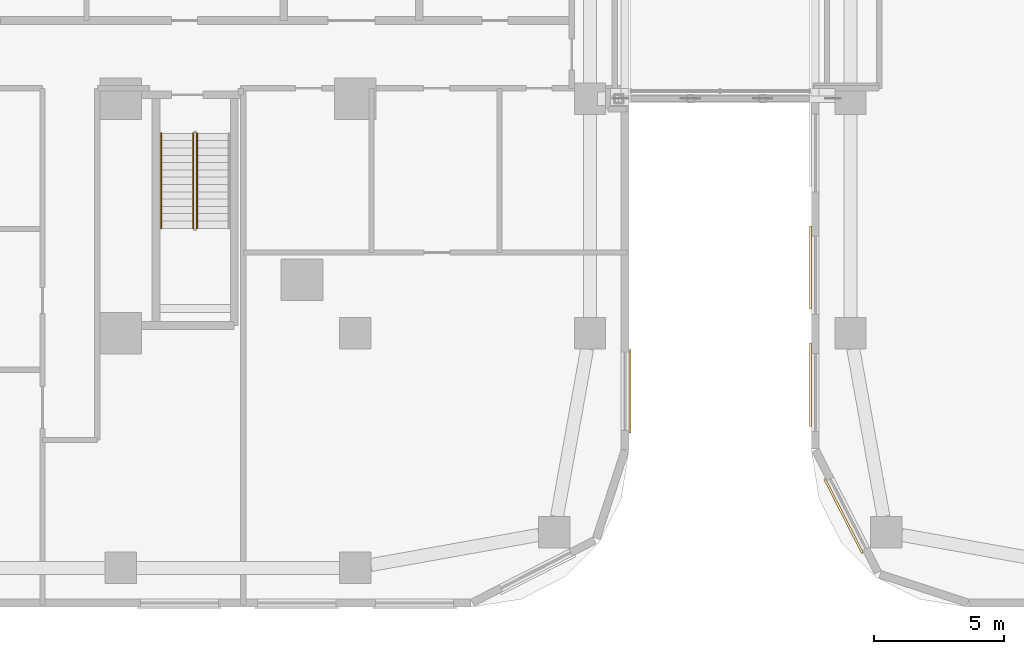
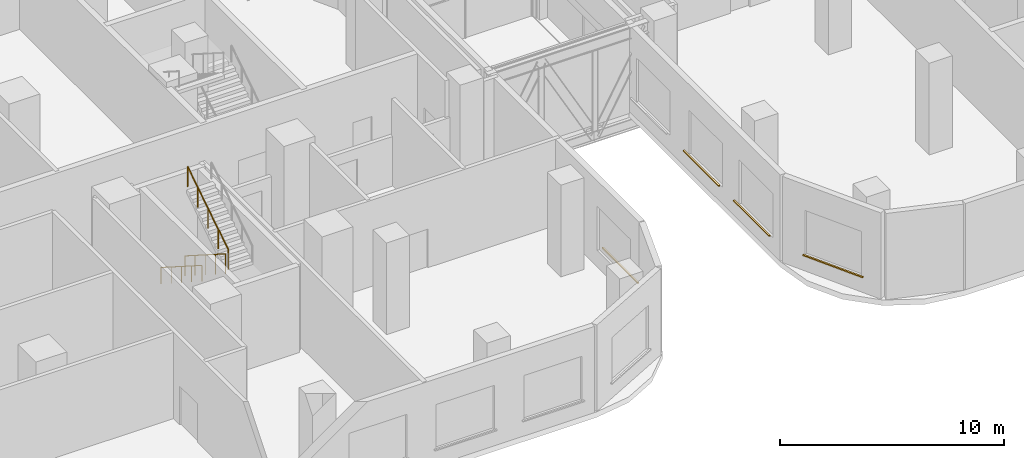
# One storey, part 31 of 35: 4 coverings, 3 railings.
"""IFC4 building model written with IfcOpenShell, lengths in metres."""

from ifc_helpers import new_model, si_unit, direction, frame, origin, origin_2d, place, context, subcontext, project, spatial, rectangle, circle, extrude, material, layer, layer_set, type_object, element, save


model = new_model("IFC4")

# Units and contexts
model_context = context("Model", 3, precision=1e-05, world=origin(), true_north=direction((0.0, 1.0)))
body_context = subcontext(model_context, "Body", "Model", "MODEL_VIEW")
ifc_project = project(units=[si_unit("LENGTHUNIT", "METRE"), si_unit("AREAUNIT", "SQUARE_METRE"), si_unit("VOLUMEUNIT", "CUBIC_METRE"), si_unit("PLANEANGLEUNIT", "RADIAN"), si_unit("MASSUNIT", "GRAM", prefix="KILO")], contexts=[model_context])

# Site, building, storey
site_placement = place(None, origin())
site = spatial("IfcSite", under=ifc_project, at=site_placement, CompositionType="ELEMENT")
building_placement = place(site_placement, origin())
building = spatial("IfcBuilding", under=site, at=building_placement, Name="Ogive Portal Towers", CompositionType="ELEMENT")
storey_placement = place(building_placement, frame((0.0, 0.0, 18.5)))
storey = spatial("IfcBuildingStorey", under=building, at=storey_placement, Name="L03", CompositionType="ELEMENT", Elevation=18.5)

# Railings
ifc_material_1 = material(Name="Stainless steel balustrade", Category="steel")
railing_type_1 = type_object("IfcRailingType", Name="INT-GUARD", PredefinedType="GUARDRAIL", material=ifc_material_1)
railing_1_placement = place(storey_placement, frame((88.280029296875, 29.169921875, 0.178466796875)))
element("IfcRailing", 1, at=railing_1_placement, inside=storey, type_object=railing_type_1, Name="L03 ST-A4 stair guard 1", PredefinedType="GUARDRAIL", context=body_context, shape_type="SweptSolid", body=[
    extrude(circle(Radius=0.02392578125, at=origin_2d()), frame((0.0, 0.0, 1.076171875), z_axis=(0.0, -0.843111507901, 0.53773877045), x_axis=(1.0, 0.0, 0.0)), (0.0, 0.0, 1.0), 4.317138671875),
    extrude(circle(Radius=0.02099609375, at=origin_2d()), origin(), (0.0, 0.0, 1.0), 1.052001953125),
    extrude(circle(Radius=0.02099609375, at=origin_2d()), frame((0.0, -0.909912109375, 0.580322265625)), (0.0, 0.0, 1.0), 1.052001953125),
    extrude(circle(Radius=0.02099609375, at=origin_2d()), frame((0.0, -1.81982421875, 1.16064453125)), (0.0, 0.0, 1.0), 1.052001953125),
    extrude(circle(Radius=0.02099609375, at=origin_2d()), frame((0.0, -2.72998046875, 1.7412109375)), (0.0, 0.0, 1.0), 1.052001953125),
    extrude(circle(Radius=0.02099609375, at=origin_2d()), frame((0.0, -3.639892578125, 2.321533203125)), (0.0, 0.0, 1.0), 1.052001953125),
])
railing_2_placement = place(storey_placement, frame((88.419921875, 25.530029296875, 2.678466796875)))
element("IfcRailing", 2, at=railing_2_placement, inside=storey, type_object=railing_type_1, Name="L03 ST-A4 stair guard 3", PredefinedType="GUARDRAIL", context=body_context, shape_type="SweptSolid", body=[
    extrude(circle(Radius=0.02392578125, at=origin_2d()), frame((0.0, 0.0, 1.076171875), z_axis=(0.0, 0.843111507901, 0.53773877045), x_axis=(-1.0, 0.0, 0.0)), (0.0, 0.0, 1.0), 4.317138671875),
    extrude(circle(Radius=0.02099609375, at=origin_2d()), origin(), (0.0, 0.0, 1.0), 1.052001953125),
    extrude(circle(Radius=0.02099609375, at=origin_2d()), frame((0.0, 0.909912109375, 0.580322265625)), (0.0, 0.0, 1.0), 1.052001953125),
    extrude(circle(Radius=0.02099609375, at=origin_2d()), frame((0.0, 1.81982421875, 1.16064453125)), (0.0, 0.0, 1.0), 1.052001953125),
    extrude(circle(Radius=0.02099609375, at=origin_2d()), frame((0.0, 2.72998046875, 1.7412109375)), (0.0, 0.0, 1.0), 1.052001953125),
    extrude(circle(Radius=0.02099609375, at=origin_2d()), frame((0.0, 3.639892578125, 2.321533203125)), (0.0, 0.0, 1.0), 1.052001953125),
])
ifc_material_2 = material(Name="Stainless steel handrail", Category="steel")
railing_type_2 = type_object("IfcRailingType", Name="INT-HANDRAIL", PredefinedType="HANDRAIL", material=ifc_material_2)
railing_3_placement = place(storey_placement, frame((87.050048828125, 29.169921875, 0.178466796875)))
element("IfcRailing", 3, at=railing_3_placement, inside=storey, type_object=railing_type_2, Name="L03 ST-A4 stair handrail 1", PredefinedType="HANDRAIL", context=body_context, shape_type="SweptSolid", body=[
    extrude(circle(Radius=0.02392578125, at=origin_2d()), frame((0.0, 0.0, 0.8759765625), z_axis=(0.0, -0.843111507901, 0.53773877045), x_axis=(1.0, 0.0, 0.0)), (0.0, 0.0, 1.0), 4.317138671875),
    extrude(circle(Radius=0.02099609375, at=origin_2d()), origin(), (0.0, 0.0, 1.0), 0.851806640625),
    extrude(circle(Radius=0.02099609375, at=origin_2d()), frame((0.0, -0.909912109375, 0.580322265625)), (0.0, 0.0, 1.0), 0.851806640625),
    extrude(circle(Radius=0.02099609375, at=origin_2d()), frame((0.0, -1.81982421875, 1.16064453125)), (0.0, 0.0, 1.0), 0.851806640625),
    extrude(circle(Radius=0.02099609375, at=origin_2d()), frame((0.0, -2.72998046875, 1.7412109375)), (0.0, 0.0, 1.0), 0.851806640625),
    extrude(circle(Radius=0.02099609375, at=origin_2d()), frame((0.0, -3.639892578125, 2.321533203125)), (0.0, 0.0, 1.0), 0.851806640625),
])

# Coverings
ifc_material_3 = material(Name="Limestone cladding on lightweight block wall", Category="masonry")
ifc_layer = layer(ifc_material_3, 0.080078125)
ifc_layer_set = layer_set([ifc_layer], Name="STONE SILL 80")
covering_type = type_object("IfcCoveringType", Name="STONE SILL 80", PredefinedType="CLADDING", material=ifc_layer_set)
for number, where, z_axis, x_axis, name in (
    (4, (105.0400390625, 19.273681640625, 0.840087890625), (0.0, 0.0, 1.0), (0.0, 1.0, 0.0), "Stone sill"),
    (5, (113.233642578125, 14.49072265625, 0.840087890625), (0.0, 0.0, 1.0), (0.45399049974, -0.891006524188, 0.0), "Stone sill"),
    (6, (111.9599609375, 24.023681640625, 0.840087890625), (0.0, 0.0, 1.0), (0.0, -1.0, 0.0), "Stone sill"),
    (7, (111.9599609375, 19.523681640625, 0.840087890625), (0.0, 0.0, 1.0), (0.0, -1.0, 0.0), "Stone sill"),
):
    element("IfcCovering", number, at=place(storey_placement, frame(where, z_axis=z_axis, x_axis=x_axis)), inside=storey, type_object=covering_type, Name=name, PredefinedType="CLADDING", context=body_context, shape_type="SweptSolid", body=[
        extrude(rectangle(XDim=3.199951171875, YDim=0.080078125, at=origin_2d()), origin(), (0.0, 0.0, 1.0), 0.06005859375),
    ])

save(model, "model.ifc")
